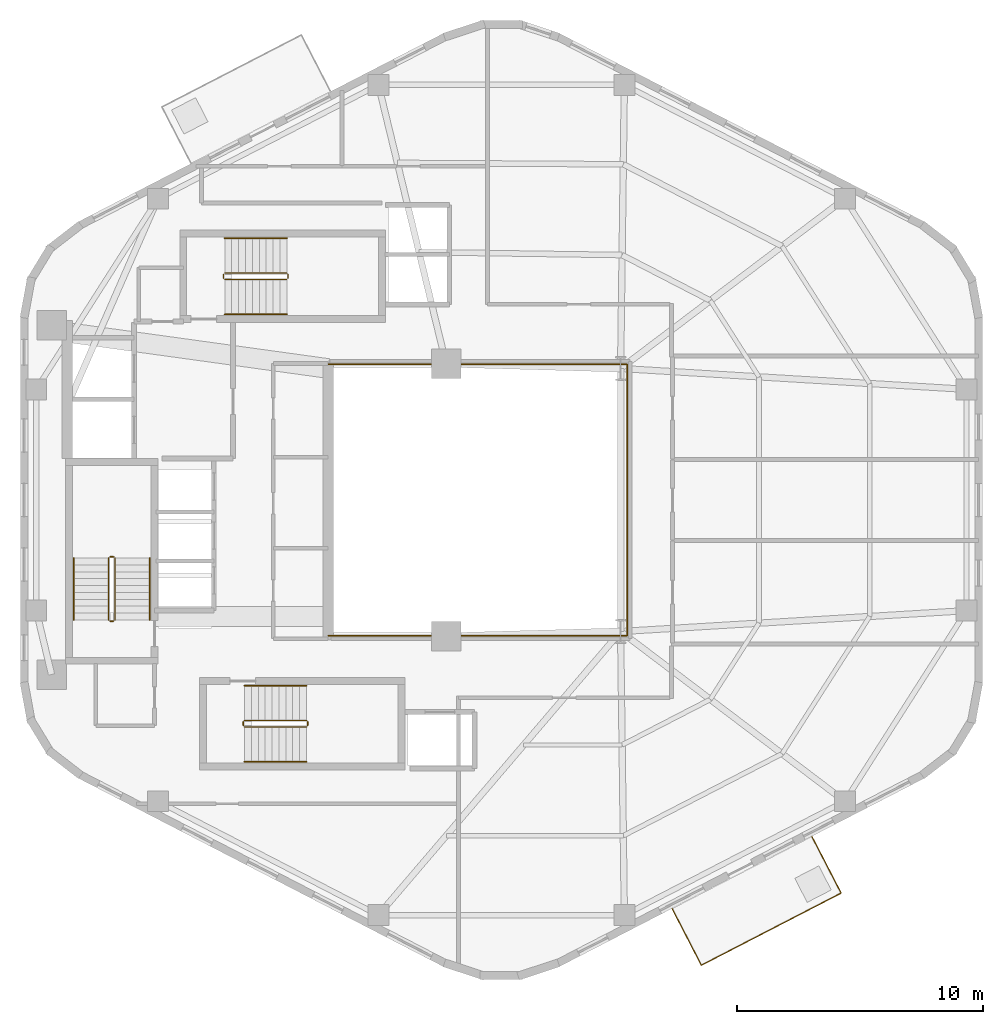
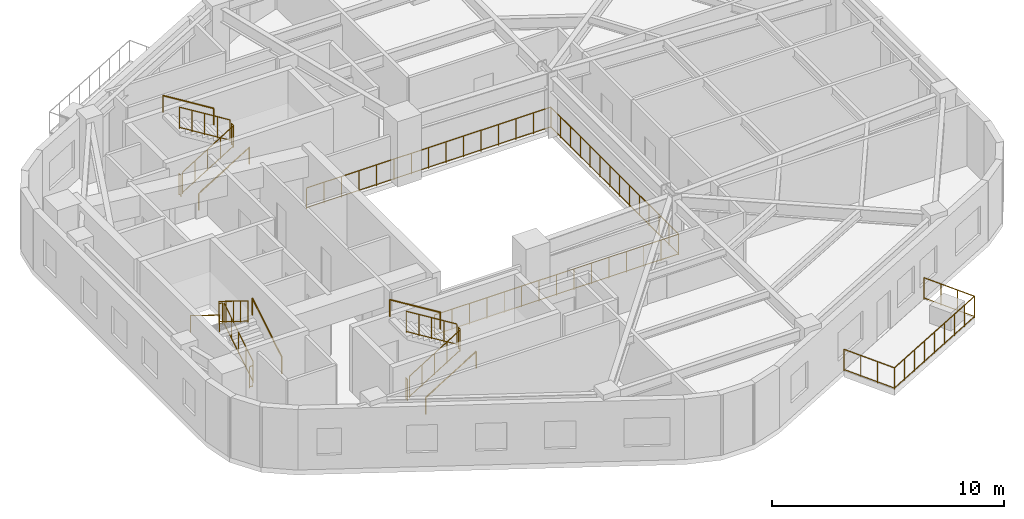
# One storey, part 7 of 8: 20 railings.
"""IFC4 building model written with IfcOpenShell, lengths in metres."""

import ifcopenshell
import ifcopenshell.guid

model = None  # the IFC model being written
_history = None  # IfcOwnerHistory: only IFC2X3 demands one
_inside = {}  # id of a spatial element -> (the spatial element, [elements in it])
_under = {}  # id of a project, library or spatial element -> (it, [spatial elements below it])
_declared = {}  # id of a project -> (the project, [libraries it declares])
_typed = {}  # id of a type object -> (the type object, [elements of that type])
_made_of = {}  # id of a material, layer set ... -> (it, [elements and type objects made of it])


def new_model(schema):
    """Start an empty IFC model of exactly this schema.

    Asked for "IFC4X3", IfcOpenShell would pick the latest addendum, in which some entities
    have other attributes; the version numbers below select the first issue.
    IFC2X3 requires an IfcOwnerHistory on every rooted entity: one is made here for all.
    """
    global model, _history
    if schema == "IFC4X3":
        model = ifcopenshell.file(schema_version=(4, 3, 0, 0))
    else:
        model = ifcopenshell.file(schema=schema)
    _inside.clear()
    _under.clear()
    _declared.clear()
    _typed.clear()
    _made_of.clear()
    _history = None
    if model.schema == "IFC2X3":
        org = make("IfcOrganization", Name="unknown")
        user = make(
            "IfcPersonAndOrganization",
            ThePerson=make("IfcPerson", FamilyName="unknown"),
            TheOrganization=org,
        )
        app = make(
            "IfcApplication",
            ApplicationDeveloper=org,
            Version="unknown",
            ApplicationFullName="unknown",
            ApplicationIdentifier="unknown",
        )
        _history = make(
            "IfcOwnerHistory",
            OwningUser=user,
            OwningApplication=app,
            ChangeAction="ADDED",
            CreationDate=0,
        )
    return model


def make(cls, **values):
    """One entity of the class cls with the attributes given. An attribute that is None is left unset."""
    return model.create_entity(
        cls, **{name: value for name, value in values.items() if value is not None}
    )


def rooted(cls, **values):
    """An entity with a GlobalId (a new one), such as an element, a storey or a relation."""
    return make(cls, GlobalId=ifcopenshell.guid.new(), OwnerHistory=_history, **values)


def si_unit(unit_type, name, prefix=None):
    """IfcSIUnit, for example si_unit("LENGTHUNIT", "METRE", prefix="MILLI")."""
    return make("IfcSIUnit", UnitType=unit_type, Prefix=prefix, Name=name)


def assignment(units):
    """IfcUnitAssignment: the units of a project."""
    return None if units is None else make("IfcUnitAssignment", Units=units)


def point(xyz):
    """IfcCartesianPoint."""
    return None if xyz is None else make("IfcCartesianPoint", Coordinates=xyz)


def direction(xyz):
    """IfcDirection."""
    return None if xyz is None else make("IfcDirection", DirectionRatios=xyz)


def frame(location, z_axis=None, x_axis=None):
    """IfcAxis2Placement3D, a coordinate frame: its origin and axes. An axis left out is left unset."""
    return make(
        "IfcAxis2Placement3D",
        Location=point(location),
        Axis=direction(z_axis),
        RefDirection=direction(x_axis),
    )


def frame_2d(location, x_axis=None):
    """IfcAxis2Placement2D, a coordinate frame in the plane: its origin and x axis."""
    return make(
        "IfcAxis2Placement2D", Location=point(location), RefDirection=direction(x_axis)
    )


def origin():
    """The frame at (0, 0, 0) with its axes left unset."""
    return frame((0.0, 0.0, 0.0))


def origin_2d():
    """The frame at (0, 0) in the plane with its x axis left unset."""
    return frame_2d((0.0, 0.0))


def place(relative_to, where):
    """IfcLocalPlacement: puts the frame where relative to a parent placement (None: the world)."""
    return make(
        "IfcLocalPlacement", PlacementRelTo=relative_to, RelativePlacement=where
    )


def context(
    kind, dimensions, precision=None, world=None, true_north=None, identifier=None
):
    """IfcGeometricRepresentationContext, for example the 3D "Model" context."""
    return make(
        "IfcGeometricRepresentationContext",
        ContextIdentifier=identifier,
        ContextType=kind,
        CoordinateSpaceDimension=dimensions,
        Precision=precision,
        WorldCoordinateSystem=world,
        TrueNorth=true_north,
    )


def subcontext(parent, identifier, kind, view, scale=None):
    """IfcGeometricRepresentationSubContext, for example "Body" below "Model"."""
    return make(
        "IfcGeometricRepresentationSubContext",
        ContextIdentifier=identifier,
        ContextType=kind,
        ParentContext=parent,
        TargetScale=scale,
        TargetView=view,
    )


def project(units=None, contexts=None):
    """IfcProject with its units and contexts."""
    return rooted(
        "IfcProject",
        Name="project",
        RepresentationContexts=contexts,
        UnitsInContext=assignment(units),
    )


def spatial(cls, under=None, at=None, **own):
    """A site, building, storey or space (cls), placed at a placement, below another one or the project."""
    s = rooted(cls, ObjectPlacement=at, **own)
    if under is not None:
        _under.setdefault(under.id(), (under, []))[1].append(s)
    return s


def profile(cls, at=None, kind="AREA", **sizes):
    """A parametric profile (cls). Its sizes go by their IFC names, for example OverallWidth=200.0."""
    return make(cls, ProfileType=kind, Position=at, **sizes)


def circle(**sizes):
    """IfcCircleProfileDef."""
    return profile("IfcCircleProfileDef", **sizes)


def extrude(swept, where, along, depth):
    """IfcExtrudedAreaSolid: the profile swept, set in the frame where, extruded along a direction by depth."""
    return make(
        "IfcExtrudedAreaSolid",
        SweptArea=swept,
        Position=where,
        ExtrudedDirection=direction(along),
        Depth=depth,
    )


def shape(context_of_items, identifier, shape_type, items):
    """IfcShapeRepresentation: the items that make up one representation, for example the "Body"."""
    return make(
        "IfcShapeRepresentation",
        ContextOfItems=context_of_items,
        RepresentationIdentifier=identifier,
        RepresentationType=shape_type,
        Items=items,
    )


def material(Name=None, Category=None):
    """IfcMaterial."""
    return make("IfcMaterial", Name=Name, Category=Category)


def made_of(thing, what):
    """Note that an element or type object is made of a material, layer set ...; save() writes the relation."""
    if what is not None:
        _made_of.setdefault(what.id(), (what, []))[1].append(thing)
    return thing


def type_object(cls, material=None, **own):
    """A type object (cls), such as IfcWallType, which elements share."""
    return made_of(rooted(cls, **own), material)


def element(
    cls,
    number,
    at=None,
    inside=None,
    cuts=None,
    type_object=None,
    material=None,
    context=None,
    identifier="Body",
    shape_type=None,
    held_by="IfcProductDefinitionShape",
    body=None,
    shapes=None,
    **own,
):
    """One element of the class cls, such as IfcWall. Its Tag is "e" and its number.

    at: its placement. inside: the storey or other place that contains it. cuts: it is an
    opening in that element (IfcRelVoidsElement). A single representation is given by context,
    identifier, shape_type and body (its items); several are given by shapes. held_by: the class
    of the entity that holds the representations. save() writes the other relations.
    """
    e = rooted(cls, Tag="e%d" % number, ObjectPlacement=at, **own)
    if body is not None:
        shapes = [shape(context, identifier, shape_type, body)]
    if shapes is not None:
        e.Representation = make(held_by, Representations=shapes)
    if inside is not None:
        _inside.setdefault(inside.id(), (inside, []))[1].append(e)
    if cuts is not None:
        rooted(
            "IfcRelVoidsElement", RelatingBuildingElement=cuts, RelatedOpeningElement=e
        )
    if type_object is not None:
        _typed.setdefault(type_object.id(), (type_object, []))[1].append(e)
    return made_of(e, material)


def aggregate(whole, parts):
    """IfcRelAggregates: a whole, such as a stair, and the parts it consists of."""
    return rooted("IfcRelAggregates", RelatingObject=whole, RelatedObjects=parts)


def save(model, path):
    """Write the relations noted so far, then the file.

    IfcRelAggregates (storeys below a building ...), IfcRelContainedInSpatialStructure (elements
    in a storey), IfcRelDefinesByType, IfcRelAssociatesMaterial and IfcRelDeclares: one each for
    every whole, place, type object, material and project.
    """
    for whole, parts in _under.values():
        aggregate(whole, parts)
    for where, things in _inside.values():
        rooted(
            "IfcRelContainedInSpatialStructure",
            RelatedElements=things,
            RelatingStructure=where,
        )
    for kind, things in _typed.values():
        rooted("IfcRelDefinesByType", RelatedObjects=things, RelatingType=kind)
    for what, things in _made_of.values():
        rooted("IfcRelAssociatesMaterial", RelatedObjects=things, RelatingMaterial=what)
    for by, libraries in _declared.values():
        rooted("IfcRelDeclares", RelatingContext=by, RelatedDefinitions=libraries)
    model.write(path)


model = new_model("IFC4")

# Units and contexts
model_context = context("Model", 3, precision=1e-05, world=origin(), true_north=direction((0.0, 1.0)))
body_context = subcontext(model_context, "Body", "Model", "MODEL_VIEW")
ifc_project = project(units=[si_unit("LENGTHUNIT", "METRE"), si_unit("AREAUNIT", "SQUARE_METRE"), si_unit("VOLUMEUNIT", "CUBIC_METRE"), si_unit("PLANEANGLEUNIT", "RADIAN"), si_unit("MASSUNIT", "GRAM", prefix="KILO"), si_unit("THERMODYNAMICTEMPERATUREUNIT", "KELVIN"), si_unit("POWERUNIT", "WATT")], contexts=[model_context])

# Site, building, storey
site_placement = place(None, origin())
site = spatial("IfcSite", under=ifc_project, at=site_placement, CompositionType="ELEMENT")
building_placement = place(site_placement, origin())
building = spatial("IfcBuilding", under=site, at=building_placement, Name="Skarre Station Tower", CompositionType="ELEMENT")
storey_placement = place(building_placement, frame((0.0, 0.0, 203.35009765625)))
storey = spatial("IfcBuildingStorey", under=building, at=storey_placement, Name="L55", CompositionType="ELEMENT", Elevation=203.35009765625)

# Railings
ifc_material_1 = material(Name="Bronze Anodized Steel & Laminated Glass Balustrade", Category="steel")
railing_type_1 = type_object("IfcRailingType", Name="Atrium Void & Mezzanine Guard Balustrade 1120", PredefinedType="GUARDRAIL", material=ifc_material_1)
railing_1_placement = place(storey_placement, frame((27.550048828125, 18.47998046875, 0.0)))
element("IfcRailing", 1, at=railing_1_placement, inside=storey, type_object=railing_type_1, Name="L55 Atrium Void Guard Balustrade", PredefinedType="GUARDRAIL", context=body_context, shape_type="SweptSolid", body=[
    extrude(circle(Radius=0.02392578125, at=origin_2d()), frame((0.0, 0.0, 1.09619140625), z_axis=(1.0, 0.0, 0.0), x_axis=(0.0, 1.0, 0.0)), (0.0, 0.0, 1.0), 12.169921875),
    extrude(circle(Radius=0.02099609375, at=origin_2d()), frame((0.0, 0.0, 0.06005859375), z_axis=(1.0, 0.0, 0.0), x_axis=(0.0, 1.0, 0.0)), (0.0, 0.0, 1.0), 12.169921875),
    extrude(circle(Radius=0.02392578125, at=origin_2d()), frame((12.169921875, 0.0, 1.09619140625), z_axis=(0.0, 1.0, 0.0), x_axis=(-1.0, 0.0, 0.0)), (0.0, 0.0, 1.0), 11.0400390625),
    extrude(circle(Radius=0.02099609375, at=origin_2d()), frame((12.169921875, 0.0, 0.06005859375), z_axis=(0.0, 1.0, 0.0), x_axis=(-1.0, 0.0, 0.0)), (0.0, 0.0, 1.0), 11.0400390625),
    extrude(circle(Radius=0.02392578125, at=origin_2d()), frame((12.169921875, 11.0400390625, 1.09619140625), z_axis=(-1.0, 0.0, 0.0), x_axis=(0.0, -1.0, 0.0)), (0.0, 0.0, 1.0), 12.169921875),
    extrude(circle(Radius=0.02099609375, at=origin_2d()), frame((12.169921875, 11.0400390625, 0.06005859375), z_axis=(-1.0, 0.0, 0.0), x_axis=(0.0, -1.0, 0.0)), (0.0, 0.0, 1.0), 12.169921875),
    extrude(circle(Radius=0.02099609375, at=origin_2d()), origin(), (0.0, 0.0, 1.0), 1.072021484375),
    extrude(circle(Radius=0.02099609375, at=origin_2d()), frame((0.869384765625, 0.0, 0.0)), (0.0, 0.0, 1.0), 1.072021484375),
    extrude(circle(Radius=0.02099609375, at=origin_2d()), frame((1.738525390625, 0.0, 0.0)), (0.0, 0.0, 1.0), 1.072021484375),
    extrude(circle(Radius=0.02099609375, at=origin_2d()), frame((2.60791015625, 0.0, 0.0)), (0.0, 0.0, 1.0), 1.072021484375),
    extrude(circle(Radius=0.02099609375, at=origin_2d()), frame((3.47705078125, 0.0, 0.0)), (0.0, 0.0, 1.0), 1.072021484375),
    extrude(circle(Radius=0.02099609375, at=origin_2d()), frame((4.346435546875, 0.0, 0.0)), (0.0, 0.0, 1.0), 1.072021484375),
    extrude(circle(Radius=0.02099609375, at=origin_2d()), frame((5.215576171875, 0.0, 0.0)), (0.0, 0.0, 1.0), 1.072021484375),
    extrude(circle(Radius=0.02099609375, at=origin_2d()), frame((6.0849609375, 0.0, 0.0)), (0.0, 0.0, 1.0), 1.072021484375),
    extrude(circle(Radius=0.02099609375, at=origin_2d()), frame((6.954345703125, 0.0, 0.0)), (0.0, 0.0, 1.0), 1.072021484375),
    extrude(circle(Radius=0.02099609375, at=origin_2d()), frame((7.823486328125, 0.0, 0.0)), (0.0, 0.0, 1.0), 1.072021484375),
    extrude(circle(Radius=0.02099609375, at=origin_2d()), frame((8.69287109375, 0.0, 0.0)), (0.0, 0.0, 1.0), 1.072021484375),
    extrude(circle(Radius=0.02099609375, at=origin_2d()), frame((9.56201171875, 0.0, 0.0)), (0.0, 0.0, 1.0), 1.072021484375),
    extrude(circle(Radius=0.02099609375, at=origin_2d()), frame((10.431396484375, 0.0, 0.0)), (0.0, 0.0, 1.0), 1.072021484375),
    extrude(circle(Radius=0.02099609375, at=origin_2d()), frame((11.300537109375, 0.0, 0.0)), (0.0, 0.0, 1.0), 1.072021484375),
    extrude(circle(Radius=0.02099609375, at=origin_2d()), frame((12.169921875, 0.0, 0.0)), (0.0, 0.0, 1.0), 1.072021484375),
    extrude(circle(Radius=0.02099609375, at=origin_2d()), frame((12.169921875, 0.84912109375, 0.0)), (0.0, 0.0, 1.0), 1.072021484375),
    extrude(circle(Radius=0.02099609375, at=origin_2d()), frame((12.169921875, 1.698486328125, 0.0)), (0.0, 0.0, 1.0), 1.072021484375),
    extrude(circle(Radius=0.02099609375, at=origin_2d()), frame((12.169921875, 2.547607421875, 0.0)), (0.0, 0.0, 1.0), 1.072021484375),
    extrude(circle(Radius=0.02099609375, at=origin_2d()), frame((12.169921875, 3.39697265625, 0.0)), (0.0, 0.0, 1.0), 1.072021484375),
    extrude(circle(Radius=0.02099609375, at=origin_2d()), frame((12.169921875, 4.24609375, 0.0)), (0.0, 0.0, 1.0), 1.072021484375),
    extrude(circle(Radius=0.02099609375, at=origin_2d()), frame((12.169921875, 5.095458984375, 0.0)), (0.0, 0.0, 1.0), 1.072021484375),
    extrude(circle(Radius=0.02099609375, at=origin_2d()), frame((12.169921875, 5.944580078125, 0.0)), (0.0, 0.0, 1.0), 1.072021484375),
    extrude(circle(Radius=0.02099609375, at=origin_2d()), frame((12.169921875, 6.7939453125, 0.0)), (0.0, 0.0, 1.0), 1.072021484375),
    extrude(circle(Radius=0.02099609375, at=origin_2d()), frame((12.169921875, 7.64306640625, 0.0)), (0.0, 0.0, 1.0), 1.072021484375),
    extrude(circle(Radius=0.02099609375, at=origin_2d()), frame((12.169921875, 8.492431640625, 0.0)), (0.0, 0.0, 1.0), 1.072021484375),
    extrude(circle(Radius=0.02099609375, at=origin_2d()), frame((12.169921875, 9.341552734375, 0.0)), (0.0, 0.0, 1.0), 1.072021484375),
    extrude(circle(Radius=0.02099609375, at=origin_2d()), frame((12.169921875, 10.19091796875, 0.0)), (0.0, 0.0, 1.0), 1.072021484375),
    extrude(circle(Radius=0.02099609375, at=origin_2d()), frame((12.169921875, 11.0400390625, 0.0)), (0.0, 0.0, 1.0), 1.072021484375),
    extrude(circle(Radius=0.02099609375, at=origin_2d()), frame((11.300537109375, 11.0400390625, 0.0)), (0.0, 0.0, 1.0), 1.072021484375),
    extrude(circle(Radius=0.02099609375, at=origin_2d()), frame((10.431396484375, 11.0400390625, 0.0)), (0.0, 0.0, 1.0), 1.072021484375),
    extrude(circle(Radius=0.02099609375, at=origin_2d()), frame((9.56201171875, 11.0400390625, 0.0)), (0.0, 0.0, 1.0), 1.072021484375),
    extrude(circle(Radius=0.02099609375, at=origin_2d()), frame((8.69287109375, 11.0400390625, 0.0)), (0.0, 0.0, 1.0), 1.072021484375),
    extrude(circle(Radius=0.02099609375, at=origin_2d()), frame((7.823486328125, 11.0400390625, 0.0)), (0.0, 0.0, 1.0), 1.072021484375),
    extrude(circle(Radius=0.02099609375, at=origin_2d()), frame((6.954345703125, 11.0400390625, 0.0)), (0.0, 0.0, 1.0), 1.072021484375),
    extrude(circle(Radius=0.02099609375, at=origin_2d()), frame((6.0849609375, 11.0400390625, 0.0)), (0.0, 0.0, 1.0), 1.072021484375),
    extrude(circle(Radius=0.02099609375, at=origin_2d()), frame((5.215576171875, 11.0400390625, 0.0)), (0.0, 0.0, 1.0), 1.072021484375),
    extrude(circle(Radius=0.02099609375, at=origin_2d()), frame((4.346435546875, 11.0400390625, 0.0)), (0.0, 0.0, 1.0), 1.072021484375),
    extrude(circle(Radius=0.02099609375, at=origin_2d()), frame((3.47705078125, 11.0400390625, 0.0)), (0.0, 0.0, 1.0), 1.072021484375),
    extrude(circle(Radius=0.02099609375, at=origin_2d()), frame((2.60791015625, 11.0400390625, 0.0)), (0.0, 0.0, 1.0), 1.072021484375),
    extrude(circle(Radius=0.02099609375, at=origin_2d()), frame((1.738525390625, 11.0400390625, 0.0)), (0.0, 0.0, 1.0), 1.072021484375),
    extrude(circle(Radius=0.02099609375, at=origin_2d()), frame((0.869384765625, 11.0400390625, 0.0)), (0.0, 0.0, 1.0), 1.072021484375),
    extrude(circle(Radius=0.02099609375, at=origin_2d()), frame((0.0, 11.0400390625, 0.0)), (0.0, 0.0, 1.0), 1.072021484375),
])
ifc_material_2 = material(Name="Stainless Steel Grade 316L & Laminated Safety Glass", Category="steel")
railing_type_2 = type_object("IfcRailingType", Name="Laminated Glass & Stainless Terrace Guardrail 1150", PredefinedType="BALUSTRADE", material=ifc_material_2)
railing_2_placement = place(storey_placement, frame((41.547119140625, 7.373046875, 0.0)))
element("IfcRailing", 2, at=railing_2_placement, inside=storey, type_object=railing_type_2, Name="L55 TB-L55-F4 Tree-Balcony Guardrail", PredefinedType="BALUSTRADE", context=body_context, shape_type="SweptSolid", body=[
    extrude(circle(Radius=0.02392578125, at=origin_2d()), frame((0.0, 0.0, 1.1259765625), z_axis=(0.458753384133, -0.888563634495, 0.0), x_axis=(0.888563634495, 0.458753384133, 0.0)), (0.0, 0.0, 1.0), 2.589599609375),
    extrude(circle(Radius=0.02099609375, at=origin_2d()), frame((0.0, 0.0, 0.06005859375), z_axis=(0.458753384133, -0.888563634495, 0.0), x_axis=(0.888563634495, 0.458753384133, 0.0)), (0.0, 0.0, 1.0), 2.589599609375),
    extrude(circle(Radius=0.02392578125, at=origin_2d()), frame((1.18798828125, -2.301025390625, 1.1259765625), z_axis=(0.888631690717, 0.458621541418, 0.0), x_axis=(-0.458621541418, 0.888631690717, 0.0)), (0.0, 0.0, 1.0), 6.399658203125),
    extrude(circle(Radius=0.02099609375, at=origin_2d()), frame((1.18798828125, -2.301025390625, 0.06005859375), z_axis=(0.888631690717, 0.458621541418, 0.0), x_axis=(-0.458621541418, 0.888631690717, 0.0)), (0.0, 0.0, 1.0), 6.399658203125),
    extrude(circle(Radius=0.02392578125, at=origin_2d()), frame((6.875, 0.634033203125, 1.1259765625), z_axis=(-0.458674126871, 0.88860454947, 0.0), x_axis=(-0.88860454947, -0.458674126871, 0.0)), (0.0, 0.0, 1.0), 2.590576171875),
    extrude(circle(Radius=0.02099609375, at=origin_2d()), frame((6.875, 0.634033203125, 0.06005859375), z_axis=(-0.458674126871, 0.88860454947, 0.0), x_axis=(-0.88860454947, -0.458674126871, 0.0)), (0.0, 0.0, 1.0), 2.590576171875),
    extrude(circle(Radius=0.02099609375, at=origin_2d()), origin(), (0.0, 0.0, 1.0), 1.101806640625),
    extrude(circle(Radius=0.02099609375, at=origin_2d()), frame((0.39599609375, -0.76708984375, 0.0)), (0.0, 0.0, 1.0), 1.101806640625),
    extrude(circle(Radius=0.02099609375, at=origin_2d()), frame((0.7919921875, -1.533935546875, 0.0)), (0.0, 0.0, 1.0), 1.101806640625),
    extrude(circle(Radius=0.02099609375, at=origin_2d()), frame((1.18798828125, -2.301025390625, 0.0)), (0.0, 0.0, 1.0), 1.101806640625),
    extrude(circle(Radius=0.02099609375, at=origin_2d()), frame((1.89892578125, -1.93408203125, 0.0)), (0.0, 0.0, 1.0), 1.101806640625),
    extrude(circle(Radius=0.02099609375, at=origin_2d()), frame((2.60986328125, -1.5673828125, 0.0)), (0.0, 0.0, 1.0), 1.101806640625),
    extrude(circle(Radius=0.02099609375, at=origin_2d()), frame((3.320556640625, -1.200439453125, 0.0)), (0.0, 0.0, 1.0), 1.101806640625),
    extrude(circle(Radius=0.02099609375, at=origin_2d()), frame((4.031494140625, -0.83349609375, 0.0)), (0.0, 0.0, 1.0), 1.101806640625),
    extrude(circle(Radius=0.02099609375, at=origin_2d()), frame((4.742431640625, -0.466552734375, 0.0)), (0.0, 0.0, 1.0), 1.101806640625),
    extrude(circle(Radius=0.02099609375, at=origin_2d()), frame((5.453125, -0.099609375, 0.0)), (0.0, 0.0, 1.0), 1.101806640625),
    extrude(circle(Radius=0.02099609375, at=origin_2d()), frame((6.1640625, 0.26708984375, 0.0)), (0.0, 0.0, 1.0), 1.101806640625),
    extrude(circle(Radius=0.02099609375, at=origin_2d()), frame((6.875, 0.634033203125, 0.0)), (0.0, 0.0, 1.0), 1.101806640625),
    extrude(circle(Radius=0.02099609375, at=origin_2d()), frame((6.47900390625, 1.4013671875, 0.0)), (0.0, 0.0, 1.0), 1.101806640625),
    extrude(circle(Radius=0.02099609375, at=origin_2d()), frame((6.082763671875, 2.168701171875, 0.0)), (0.0, 0.0, 1.0), 1.101806640625),
    extrude(circle(Radius=0.02099609375, at=origin_2d()), frame((5.686767578125, 2.93603515625, 0.0)), (0.0, 0.0, 1.0), 1.101806640625),
])
ifc_material_3 = material(Name="Powder-Coated Tubular Steel", Category="steel")
railing_type_3 = type_object("IfcRailingType", Name="Painted Steel Ramp & Stair Handrail 920", PredefinedType="HANDRAIL", material=ifc_material_3)
railing_3_placement = place(storey_placement, frame((20.300048828125, 19.1201171875, 0.17236328125)))
element("IfcRailing", 3, at=railing_3_placement, inside=storey, type_object=railing_type_3, Name="L55 ST-1 stair handrail 1", PredefinedType="HANDRAIL", context=body_context, shape_type="SweptSolid", body=[
    extrude(circle(Radius=0.02392578125, at=origin_2d()), frame((0.0, 0.0, 0.8759765625), z_axis=(0.0, 0.851377800117, 0.52455299205), x_axis=(-1.0, 0.0, 0.0)), (0.0, 0.0, 1.0), 2.959716796875),
    extrude(circle(Radius=0.02099609375, at=origin_2d()), origin(), (0.0, 0.0, 1.0), 0.851806640625),
    extrude(circle(Radius=0.02099609375, at=origin_2d()), frame((0.0, 2.519775390625, 1.552490234375)), (0.0, 0.0, 1.0), 0.851806640625),
])
railing_4_placement = place(storey_placement, frame((17.199951171875, 21.639892578125, 1.8974609375)))
element("IfcRailing", 4, at=railing_4_placement, inside=storey, type_object=railing_type_3, Name="L55 ST-1 stair handrail 2", PredefinedType="HANDRAIL", context=body_context, shape_type="SweptSolid", body=[
    extrude(circle(Radius=0.02392578125, at=origin_2d()), frame((0.0, 0.0, 0.8759765625), z_axis=(0.0, -0.851377800117, 0.52455299205), x_axis=(1.0, 0.0, 0.0)), (0.0, 0.0, 1.0), 2.959716796875),
    extrude(circle(Radius=0.02099609375, at=origin_2d()), origin(), (0.0, 0.0, 1.0), 0.851806640625),
    extrude(circle(Radius=0.02099609375, at=origin_2d()), frame((0.0, -2.519775390625, 1.552490234375)), (0.0, 0.0, 1.0), 0.851806640625),
])
railing_5_placement = place(storey_placement, frame((24.14990234375, 13.35009765625, 0.17236328125)))
element("IfcRailing", 5, at=railing_5_placement, inside=storey, type_object=railing_type_3, Name="L55 ST-2 stair handrail 1", PredefinedType="HANDRAIL", context=body_context, shape_type="SweptSolid", body=[
    extrude(circle(Radius=0.02392578125, at=origin_2d()), frame((0.0, 0.0, 0.8759765625), z_axis=(0.851400495292, 0.0, 0.524516154772), x_axis=(0.0, 1.0, 0.0)), (0.0, 0.0, 1.0), 2.9599609375),
    extrude(circle(Radius=0.02099609375, at=origin_2d()), origin(), (0.0, 0.0, 1.0), 0.851806640625),
    extrude(circle(Radius=0.02099609375, at=origin_2d()), frame((2.52001953125, 0.0, 1.552490234375)), (0.0, 0.0, 1.0), 0.851806640625),
])
railing_6_placement = place(storey_placement, frame((26.669921875, 16.449951171875, 1.8974609375)))
element("IfcRailing", 6, at=railing_6_placement, inside=storey, type_object=railing_type_3, Name="L55 ST-2 stair handrail 2", PredefinedType="HANDRAIL", context=body_context, shape_type="SweptSolid", body=[
    extrude(circle(Radius=0.02392578125, at=origin_2d()), frame((0.0, 0.0, 0.8759765625), z_axis=(-0.851400495292, 0.0, 0.524516154772), x_axis=(0.0, -1.0, 0.0)), (0.0, 0.0, 1.0), 2.9599609375),
    extrude(circle(Radius=0.02099609375, at=origin_2d()), origin(), (0.0, 0.0, 1.0), 0.851806640625),
    extrude(circle(Radius=0.02099609375, at=origin_2d()), frame((-2.52001953125, 0.0, 1.552490234375)), (0.0, 0.0, 1.0), 0.851806640625),
])
railing_7_placement = place(storey_placement, frame((23.35009765625, 31.550048828125, 0.17236328125)))
element("IfcRailing", 7, at=railing_7_placement, inside=storey, type_object=railing_type_3, Name="L55 ST-3 stair handrail 1", PredefinedType="HANDRAIL", context=body_context, shape_type="SweptSolid", body=[
    extrude(circle(Radius=0.02392578125, at=origin_2d()), frame((0.0, 0.0, 0.8759765625), z_axis=(0.851400495292, 0.0, 0.524516154772), x_axis=(0.0, 1.0, 0.0)), (0.0, 0.0, 1.0), 2.9599609375),
    extrude(circle(Radius=0.02099609375, at=origin_2d()), origin(), (0.0, 0.0, 1.0), 0.851806640625),
    extrude(circle(Radius=0.02099609375, at=origin_2d()), frame((2.52001953125, 0.0, 1.552490234375)), (0.0, 0.0, 1.0), 0.851806640625),
])
railing_8_placement = place(storey_placement, frame((25.8701171875, 34.64990234375, 1.8974609375)))
element("IfcRailing", 8, at=railing_8_placement, inside=storey, type_object=railing_type_3, Name="L55 ST-3 stair handrail 2", PredefinedType="HANDRAIL", context=body_context, shape_type="SweptSolid", body=[
    extrude(circle(Radius=0.02392578125, at=origin_2d()), frame((0.0, 0.0, 0.8759765625), z_axis=(-0.851400495292, 0.0, 0.524516154772), x_axis=(0.0, -1.0, 0.0)), (0.0, 0.0, 1.0), 2.9599609375),
    extrude(circle(Radius=0.02099609375, at=origin_2d()), origin(), (0.0, 0.0, 1.0), 0.851806640625),
    extrude(circle(Radius=0.02099609375, at=origin_2d()), frame((-2.52001953125, 0.0, 1.552490234375)), (0.0, 0.0, 1.0), 0.851806640625),
])
railing_type_4 = type_object("IfcRailingType", Name="Painted Steel Stairwell Guardrail 1100", PredefinedType="GUARDRAIL", material=ifc_material_3)
railing_9_placement = place(storey_placement, frame((18.8798828125, 19.1201171875, 0.17236328125)))
element("IfcRailing", 9, at=railing_9_placement, inside=storey, type_object=railing_type_4, Name="L55 ST-1 stair guard 1", PredefinedType="GUARDRAIL", context=body_context, shape_type="SweptSolid", body=[
    extrude(circle(Radius=0.02392578125, at=origin_2d()), frame((0.0, 0.0, 1.1259765625), z_axis=(0.0, 0.851377800117, 0.52455299205), x_axis=(-1.0, 0.0, 0.0)), (0.0, 0.0, 1.0), 2.959716796875),
    extrude(circle(Radius=0.02099609375, at=origin_2d()), frame((0.0, 0.0, 0.06005859375), z_axis=(0.0, 0.851377800117, 0.52455299205), x_axis=(-1.0, 0.0, 0.0)), (0.0, 0.0, 1.0), 2.959716796875),
    extrude(circle(Radius=0.02099609375, at=origin_2d()), origin(), (0.0, 0.0, 1.0), 1.101806640625),
    extrude(circle(Radius=0.02099609375, at=origin_2d()), frame((0.0, 0.6298828125, 0.38818359375)), (0.0, 0.0, 1.0), 1.101806640625),
    extrude(circle(Radius=0.02099609375, at=origin_2d()), frame((0.0, 1.259765625, 0.7763671875)), (0.0, 0.0, 1.0), 1.101806640625),
    extrude(circle(Radius=0.02099609375, at=origin_2d()), frame((0.0, 1.889892578125, 1.164306640625)), (0.0, 0.0, 1.0), 1.101806640625),
    extrude(circle(Radius=0.02099609375, at=origin_2d()), frame((0.0, 2.519775390625, 1.552490234375)), (0.0, 0.0, 1.0), 1.101806640625),
])
railing_10_placement = place(storey_placement, frame((18.830078125, 21.68994140625, 1.724853515625)))
element("IfcRailing", 10, at=railing_10_placement, inside=storey, type_object=railing_type_4, Name="L55 ST-1 stair guard 2", PredefinedType="GUARDRAIL", context=body_context, shape_type="SweptSolid", body=[
    extrude(circle(Radius=0.02392578125, at=origin_2d()), frame((0.0, 0.0, 1.1259765625), z_axis=(-1.0, 0.0, 0.0), x_axis=(0.0, -1.0, 0.0)), (0.0, 0.0, 1.0), 0.16015625),
    extrude(circle(Radius=0.02099609375, at=origin_2d()), frame((0.0, 0.0, 0.06005859375), z_axis=(-1.0, 0.0, 0.0), x_axis=(0.0, -1.0, 0.0)), (0.0, 0.0, 1.0), 0.16015625),
    extrude(circle(Radius=0.02099609375, at=origin_2d()), origin(), (0.0, 0.0, 1.0), 1.101806640625),
    extrude(circle(Radius=0.02099609375, at=origin_2d()), frame((-0.16015625, 0.0, 0.0)), (0.0, 0.0, 1.0), 1.101806640625),
])
railing_11_placement = place(storey_placement, frame((18.6201171875, 21.639892578125, 1.8974609375)))
element("IfcRailing", 11, at=railing_11_placement, inside=storey, type_object=railing_type_4, Name="L55 ST-1 stair guard 3", PredefinedType="GUARDRAIL", context=body_context, shape_type="SweptSolid", body=[
    extrude(circle(Radius=0.02392578125, at=origin_2d()), frame((0.0, 0.0, 1.1259765625), z_axis=(0.0, -0.851377800117, 0.52455299205), x_axis=(1.0, 0.0, 0.0)), (0.0, 0.0, 1.0), 2.959716796875),
    extrude(circle(Radius=0.02099609375, at=origin_2d()), frame((0.0, 0.0, 0.06005859375), z_axis=(0.0, -0.851377800117, 0.52455299205), x_axis=(1.0, 0.0, 0.0)), (0.0, 0.0, 1.0), 2.959716796875),
    extrude(circle(Radius=0.02099609375, at=origin_2d()), origin(), (0.0, 0.0, 1.0), 1.101806640625),
    extrude(circle(Radius=0.02099609375, at=origin_2d()), frame((0.0, -0.6298828125, 0.38818359375)), (0.0, 0.0, 1.0), 1.101806640625),
    extrude(circle(Radius=0.02099609375, at=origin_2d()), frame((0.0, -1.259765625, 0.7763671875)), (0.0, 0.0, 1.0), 1.101806640625),
    extrude(circle(Radius=0.02099609375, at=origin_2d()), frame((0.0, -1.889892578125, 1.164306640625)), (0.0, 0.0, 1.0), 1.101806640625),
    extrude(circle(Radius=0.02099609375, at=origin_2d()), frame((0.0, -2.519775390625, 1.552490234375)), (0.0, 0.0, 1.0), 1.101806640625),
])
railing_12_placement = place(storey_placement, frame((18.830078125, 19.070068359375, 0.0)))
element("IfcRailing", 12, at=railing_12_placement, inside=storey, type_object=railing_type_4, Name="L55 ST-1 stair guard 4", PredefinedType="GUARDRAIL", context=body_context, shape_type="SweptSolid", body=[
    extrude(circle(Radius=0.02392578125, at=origin_2d()), frame((0.0, 0.0, 1.1259765625), z_axis=(-1.0, 0.0, 0.0), x_axis=(0.0, -1.0, 0.0)), (0.0, 0.0, 1.0), 0.16015625),
    extrude(circle(Radius=0.02099609375, at=origin_2d()), frame((0.0, 0.0, 0.06005859375), z_axis=(-1.0, 0.0, 0.0), x_axis=(0.0, -1.0, 0.0)), (0.0, 0.0, 1.0), 0.16015625),
    extrude(circle(Radius=0.02099609375, at=origin_2d()), origin(), (0.0, 0.0, 1.0), 1.101806640625),
    extrude(circle(Radius=0.02099609375, at=origin_2d()), frame((-0.16015625, 0.0, 0.0)), (0.0, 0.0, 1.0), 1.101806640625),
])
railing_13_placement = place(storey_placement, frame((24.14990234375, 14.77001953125, 0.17236328125)))
element("IfcRailing", 13, at=railing_13_placement, inside=storey, type_object=railing_type_4, Name="L55 ST-2 stair guard 1", PredefinedType="GUARDRAIL", context=body_context, shape_type="SweptSolid", body=[
    extrude(circle(Radius=0.02392578125, at=origin_2d()), frame((0.0, 0.0, 1.1259765625), z_axis=(0.851400495292, 0.0, 0.524516154772), x_axis=(0.0, 1.0, 0.0)), (0.0, 0.0, 1.0), 2.9599609375),
    extrude(circle(Radius=0.02099609375, at=origin_2d()), frame((0.0, 0.0, 0.06005859375), z_axis=(0.851400495292, 0.0, 0.524516154772), x_axis=(0.0, 1.0, 0.0)), (0.0, 0.0, 1.0), 2.9599609375),
    extrude(circle(Radius=0.02099609375, at=origin_2d()), origin(), (0.0, 0.0, 1.0), 1.101806640625),
    extrude(circle(Radius=0.02099609375, at=origin_2d()), frame((0.6298828125, 0.0, 0.38818359375)), (0.0, 0.0, 1.0), 1.101806640625),
    extrude(circle(Radius=0.02099609375, at=origin_2d()), frame((1.260009765625, 0.0, 0.7763671875)), (0.0, 0.0, 1.0), 1.101806640625),
    extrude(circle(Radius=0.02099609375, at=origin_2d()), frame((1.89013671875, 0.0, 1.164306640625)), (0.0, 0.0, 1.0), 1.101806640625),
    extrude(circle(Radius=0.02099609375, at=origin_2d()), frame((2.52001953125, 0.0, 1.552490234375)), (0.0, 0.0, 1.0), 1.101806640625),
])
railing_14_placement = place(storey_placement, frame((26.719970703125, 14.820068359375, 1.724853515625)))
element("IfcRailing", 14, at=railing_14_placement, inside=storey, type_object=railing_type_4, Name="L55 ST-2 stair guard 2", PredefinedType="GUARDRAIL", context=body_context, shape_type="SweptSolid", body=[
    extrude(circle(Radius=0.02392578125, at=origin_2d()), frame((0.0, 0.0, 1.1259765625), z_axis=(0.0, 1.0, 0.0), x_axis=(-1.0, 0.0, 0.0)), (0.0, 0.0, 1.0), 0.159912109375),
    extrude(circle(Radius=0.02099609375, at=origin_2d()), frame((0.0, 0.0, 0.06005859375), z_axis=(0.0, 1.0, 0.0), x_axis=(-1.0, 0.0, 0.0)), (0.0, 0.0, 1.0), 0.159912109375),
    extrude(circle(Radius=0.02099609375, at=origin_2d()), origin(), (0.0, 0.0, 1.0), 1.101806640625),
    extrude(circle(Radius=0.02099609375, at=origin_2d()), frame((0.0, 0.159912109375, 0.0)), (0.0, 0.0, 1.0), 1.101806640625),
])
railing_15_placement = place(storey_placement, frame((26.669921875, 15.030029296875, 1.8974609375)))
element("IfcRailing", 15, at=railing_15_placement, inside=storey, type_object=railing_type_4, Name="L55 ST-2 stair guard 3", PredefinedType="GUARDRAIL", context=body_context, shape_type="SweptSolid", body=[
    extrude(circle(Radius=0.02392578125, at=origin_2d()), frame((0.0, 0.0, 1.1259765625), z_axis=(-0.851400495292, 0.0, 0.524516154772), x_axis=(0.0, -1.0, 0.0)), (0.0, 0.0, 1.0), 2.9599609375),
    extrude(circle(Radius=0.02099609375, at=origin_2d()), frame((0.0, 0.0, 0.06005859375), z_axis=(-0.851400495292, 0.0, 0.524516154772), x_axis=(0.0, -1.0, 0.0)), (0.0, 0.0, 1.0), 2.9599609375),
    extrude(circle(Radius=0.02099609375, at=origin_2d()), origin(), (0.0, 0.0, 1.0), 1.101806640625),
    extrude(circle(Radius=0.02099609375, at=origin_2d()), frame((-0.6298828125, 0.0, 0.38818359375)), (0.0, 0.0, 1.0), 1.101806640625),
    extrude(circle(Radius=0.02099609375, at=origin_2d()), frame((-1.260009765625, 0.0, 0.7763671875)), (0.0, 0.0, 1.0), 1.101806640625),
    extrude(circle(Radius=0.02099609375, at=origin_2d()), frame((-1.89013671875, 0.0, 1.164306640625)), (0.0, 0.0, 1.0), 1.101806640625),
    extrude(circle(Radius=0.02099609375, at=origin_2d()), frame((-2.52001953125, 0.0, 1.552490234375)), (0.0, 0.0, 1.0), 1.101806640625),
])
railing_16_placement = place(storey_placement, frame((24.10009765625, 14.820068359375, 0.0)))
element("IfcRailing", 16, at=railing_16_placement, inside=storey, type_object=railing_type_4, Name="L55 ST-2 stair guard 4", PredefinedType="GUARDRAIL", context=body_context, shape_type="SweptSolid", body=[
    extrude(circle(Radius=0.02392578125, at=origin_2d()), frame((0.0, 0.0, 1.1259765625), z_axis=(0.0, 1.0, 0.0), x_axis=(-1.0, 0.0, 0.0)), (0.0, 0.0, 1.0), 0.159912109375),
    extrude(circle(Radius=0.02099609375, at=origin_2d()), frame((0.0, 0.0, 0.06005859375), z_axis=(0.0, 1.0, 0.0), x_axis=(-1.0, 0.0, 0.0)), (0.0, 0.0, 1.0), 0.159912109375),
    extrude(circle(Radius=0.02099609375, at=origin_2d()), origin(), (0.0, 0.0, 1.0), 1.101806640625),
    extrude(circle(Radius=0.02099609375, at=origin_2d()), frame((0.0, 0.159912109375, 0.0)), (0.0, 0.0, 1.0), 1.101806640625),
])
railing_17_placement = place(storey_placement, frame((23.35009765625, 32.969970703125, 0.17236328125)))
element("IfcRailing", 17, at=railing_17_placement, inside=storey, type_object=railing_type_4, Name="L55 ST-3 stair guard 1", PredefinedType="GUARDRAIL", context=body_context, shape_type="SweptSolid", body=[
    extrude(circle(Radius=0.02392578125, at=origin_2d()), frame((0.0, 0.0, 1.1259765625), z_axis=(0.851400495292, 0.0, 0.524516154772), x_axis=(0.0, 1.0, 0.0)), (0.0, 0.0, 1.0), 2.9599609375),
    extrude(circle(Radius=0.02099609375, at=origin_2d()), frame((0.0, 0.0, 0.06005859375), z_axis=(0.851400495292, 0.0, 0.524516154772), x_axis=(0.0, 1.0, 0.0)), (0.0, 0.0, 1.0), 2.9599609375),
    extrude(circle(Radius=0.02099609375, at=origin_2d()), origin(), (0.0, 0.0, 1.0), 1.101806640625),
    extrude(circle(Radius=0.02099609375, at=origin_2d()), frame((0.6298828125, 0.0, 0.38818359375)), (0.0, 0.0, 1.0), 1.101806640625),
    extrude(circle(Radius=0.02099609375, at=origin_2d()), frame((1.260009765625, 0.0, 0.7763671875)), (0.0, 0.0, 1.0), 1.101806640625),
    extrude(circle(Radius=0.02099609375, at=origin_2d()), frame((1.89013671875, 0.0, 1.164306640625)), (0.0, 0.0, 1.0), 1.101806640625),
    extrude(circle(Radius=0.02099609375, at=origin_2d()), frame((2.52001953125, 0.0, 1.552490234375)), (0.0, 0.0, 1.0), 1.101806640625),
])
railing_18_placement = place(storey_placement, frame((25.919921875, 33.02001953125, 1.724853515625)))
element("IfcRailing", 18, at=railing_18_placement, inside=storey, type_object=railing_type_4, Name="L55 ST-3 stair guard 2", PredefinedType="GUARDRAIL", context=body_context, shape_type="SweptSolid", body=[
    extrude(circle(Radius=0.02392578125, at=origin_2d()), frame((0.0, 0.0, 1.1259765625), z_axis=(0.0, 1.0, 0.0), x_axis=(-1.0, 0.0, 0.0)), (0.0, 0.0, 1.0), 0.159912109375),
    extrude(circle(Radius=0.02099609375, at=origin_2d()), frame((0.0, 0.0, 0.06005859375), z_axis=(0.0, 1.0, 0.0), x_axis=(-1.0, 0.0, 0.0)), (0.0, 0.0, 1.0), 0.159912109375),
    extrude(circle(Radius=0.02099609375, at=origin_2d()), origin(), (0.0, 0.0, 1.0), 1.101806640625),
    extrude(circle(Radius=0.02099609375, at=origin_2d()), frame((0.0, 0.159912109375, 0.0)), (0.0, 0.0, 1.0), 1.101806640625),
])
railing_19_placement = place(storey_placement, frame((25.8701171875, 33.22998046875, 1.8974609375)))
element("IfcRailing", 19, at=railing_19_placement, inside=storey, type_object=railing_type_4, Name="L55 ST-3 stair guard 3", PredefinedType="GUARDRAIL", context=body_context, shape_type="SweptSolid", body=[
    extrude(circle(Radius=0.02392578125, at=origin_2d()), frame((0.0, 0.0, 1.1259765625), z_axis=(-0.851400495292, 0.0, 0.524516154772), x_axis=(0.0, -1.0, 0.0)), (0.0, 0.0, 1.0), 2.9599609375),
    extrude(circle(Radius=0.02099609375, at=origin_2d()), frame((0.0, 0.0, 0.06005859375), z_axis=(-0.851400495292, 0.0, 0.524516154772), x_axis=(0.0, -1.0, 0.0)), (0.0, 0.0, 1.0), 2.9599609375),
    extrude(circle(Radius=0.02099609375, at=origin_2d()), origin(), (0.0, 0.0, 1.0), 1.101806640625),
    extrude(circle(Radius=0.02099609375, at=origin_2d()), frame((-0.6298828125, 0.0, 0.38818359375)), (0.0, 0.0, 1.0), 1.101806640625),
    extrude(circle(Radius=0.02099609375, at=origin_2d()), frame((-1.260009765625, 0.0, 0.7763671875)), (0.0, 0.0, 1.0), 1.101806640625),
    extrude(circle(Radius=0.02099609375, at=origin_2d()), frame((-1.89013671875, 0.0, 1.164306640625)), (0.0, 0.0, 1.0), 1.101806640625),
    extrude(circle(Radius=0.02099609375, at=origin_2d()), frame((-2.52001953125, 0.0, 1.552490234375)), (0.0, 0.0, 1.0), 1.101806640625),
])
railing_20_placement = place(storey_placement, frame((23.300048828125, 33.02001953125, 0.0)))
element("IfcRailing", 20, at=railing_20_placement, inside=storey, type_object=railing_type_4, Name="L55 ST-3 stair guard 4", PredefinedType="GUARDRAIL", context=body_context, shape_type="SweptSolid", body=[
    extrude(circle(Radius=0.02392578125, at=origin_2d()), frame((0.0, 0.0, 1.1259765625), z_axis=(0.0, 1.0, 0.0), x_axis=(-1.0, 0.0, 0.0)), (0.0, 0.0, 1.0), 0.159912109375),
    extrude(circle(Radius=0.02099609375, at=origin_2d()), frame((0.0, 0.0, 0.06005859375), z_axis=(0.0, 1.0, 0.0), x_axis=(-1.0, 0.0, 0.0)), (0.0, 0.0, 1.0), 0.159912109375),
    extrude(circle(Radius=0.02099609375, at=origin_2d()), origin(), (0.0, 0.0, 1.0), 1.101806640625),
    extrude(circle(Radius=0.02099609375, at=origin_2d()), frame((0.0, 0.159912109375, 0.0)), (0.0, 0.0, 1.0), 1.101806640625),
])

save(model, "model.ifc")
